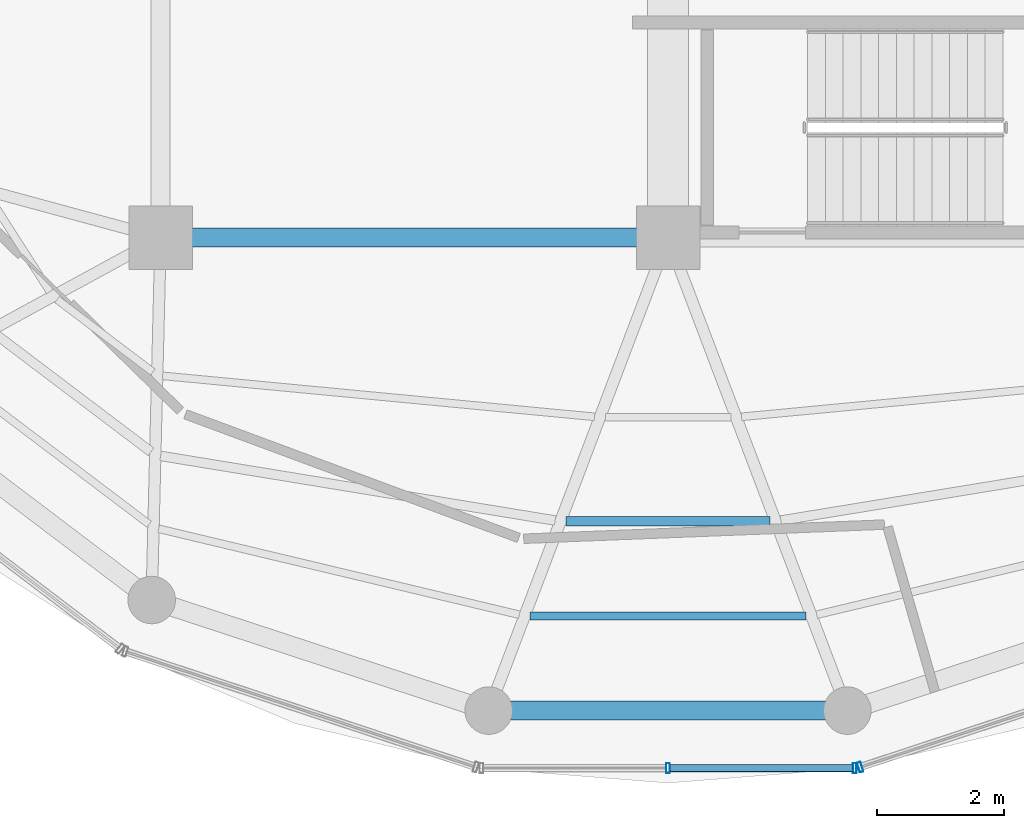
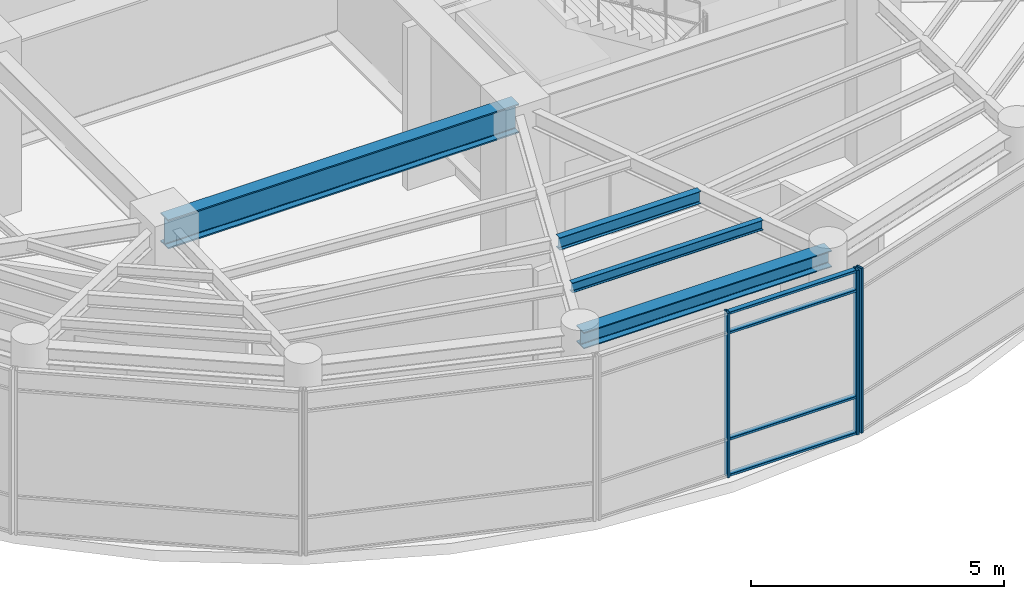
# One storey, part 5 of 19: 7 members, 4 beams, 2 elements without a shape of their own.
"""IFC4 building model written with IfcOpenShell, lengths in metres."""

from ifc_helpers import new_model, si_unit, direction, frame, origin, origin_2d, place, context, subcontext, project, spatial, hollow_rectangle, i_section, extrude, material, layer, layer_set, material_profile, profile_set, type_object, element, aggregate, save


model = new_model("IFC4")

# Units and contexts
model_context = context("Model", 3, precision=1e-05, world=origin(), true_north=direction((0.0, 1.0)))
body_context = subcontext(model_context, "Body", "Model", "MODEL_VIEW")
ifc_project = project(units=[si_unit("LENGTHUNIT", "METRE"), si_unit("AREAUNIT", "SQUARE_METRE"), si_unit("VOLUMEUNIT", "CUBIC_METRE"), si_unit("PLANEANGLEUNIT", "RADIAN"), si_unit("MASSUNIT", "GRAM", prefix="KILO")], contexts=[model_context])

# Site, building, storey
site_placement = place(None, origin())
site = spatial("IfcSite", under=ifc_project, at=site_placement, CompositionType="ELEMENT")
building_placement = place(site_placement, origin())
building = spatial("IfcBuilding", under=site, at=building_placement, Name="Kelanora Arch Commons", CompositionType="ELEMENT")
storey_placement = place(building_placement, frame((0.0, 0.0, 306.89990234375)))
storey = spatial("IfcBuildingStorey", under=building, at=storey_placement, Name="L78", CompositionType="ELEMENT", Elevation=306.89990234375)

# Beams
ifc_material_1 = material(Name="Steel S355", Category="steel")
ifc_material_profile_1 = material_profile(ifc_material_1, i_section(OverallWidth=0.300048828125, OverallDepth=0.699951171875, WebThickness=0.01708984375, FlangeThickness=0.031982421875, FilletRadius=0.027099609375, at=origin_2d()), Name="HEB700")
ifc_profile_set_1 = profile_set([ifc_material_profile_1], Name="Steel S355")
beam_type_1 = type_object("IfcBeamType", Name="BM-CORE-HDR", PredefinedType="BEAM", material=ifc_profile_set_1)
beam_1_placement = place(storey_placement, frame((66.0, 51.0, 3.630126953125), z_axis=(1.0, 0.0, 0.0), x_axis=(0.0, 1.0, 0.0)))
element("IfcBeam", 1, at=beam_1_placement, inside=storey, type_object=beam_type_1, Name="Core Header Beam 01 L78", PredefinedType="BEAM", context=body_context, shape_type="SweptSolid", body=[
    extrude(i_section(OverallWidth=0.300048828125, OverallDepth=0.699951171875, WebThickness=0.01708984375, FlangeThickness=0.031982421875, FilletRadius=0.027099609375, at=origin_2d()), origin(), (0.0, 0.0, 1.0), 8.0),
])
ifc_material_profile_2 = material_profile(ifc_material_1, i_section(OverallWidth=0.14990234375, OverallDepth=0.300048828125, WebThickness=0.007080078125, FlangeThickness=0.0107421875, FilletRadius=0.014892578125, at=origin_2d()), Name="IPE300")
ifc_profile_set_2 = profile_set([ifc_material_profile_2], Name="Steel S355")
beam_type_2 = type_object("IfcBeamType", Name="BM-JST-01", PredefinedType="JOIST", material=ifc_profile_set_2)
beam_2_placement = place(storey_placement, frame((72.388916015625, 46.52587890625, 3.830078125), z_axis=(1.0, 0.0, 0.0), x_axis=(0.0, 1.0, 0.0)))
element("IfcBeam", 2, at=beam_2_placement, inside=storey, type_object=beam_type_2, Name="Secondary Chord Joist BJB-26 L78", PredefinedType="JOIST", context=body_context, shape_type="SweptSolid", body=[
    extrude(i_section(OverallWidth=0.14990234375, OverallDepth=0.300048828125, WebThickness=0.007080078125, FlangeThickness=0.0107421875, FilletRadius=0.014892578125, at=origin_2d()), origin(), (0.0, 0.0, 1.0), 3.22216796875),
])
ifc_material_profile_3 = material_profile(ifc_material_1, i_section(OverallWidth=0.1201171875, OverallDepth=0.239990234375, WebThickness=0.006103515625, FlangeThickness=0.009765625, FilletRadius=0.014892578125, at=origin_2d()), Name="IPE240")
ifc_profile_set_3 = profile_set([ifc_material_profile_3], Name="Steel S355")
beam_type_3 = type_object("IfcBeamType", Name="BM-JST-02", PredefinedType="JOIST", material=ifc_profile_set_3)
beam_3_placement = place(storey_placement, frame((71.823486328125, 45.034423828125, 3.860107421875), z_axis=(1.0, 0.0, 0.0), x_axis=(0.0, 1.0, 0.0)))
element("IfcBeam", 3, at=beam_3_placement, inside=storey, type_object=beam_type_3, Name="Secondary Chord Joist BJC-26 L78", PredefinedType="JOIST", context=body_context, shape_type="SweptSolid", body=[
    extrude(i_section(OverallWidth=0.1201171875, OverallDepth=0.239990234375, WebThickness=0.006103515625, FlangeThickness=0.009765625, FilletRadius=0.014892578125, at=origin_2d()), origin(), (0.0, 0.0, 1.0), 4.35302734375),
])
ifc_material_profile_4 = material_profile(ifc_material_1, i_section(OverallWidth=0.300048828125, OverallDepth=0.39990234375, WebThickness=0.013427734375, FlangeThickness=0.02392578125, FilletRadius=0.027099609375, at=origin_2d()), Name="HEB400")
ifc_profile_set_4 = profile_set([ifc_material_profile_4], Name="Steel S355")
beam_type_4 = type_object("IfcBeamType", Name="BM-SPN-Z4", PredefinedType="SPANDREL", material=ifc_profile_set_4)
beam_4_placement = place(storey_placement, frame((71.173095703125, 43.54296875, 3.780029296875), z_axis=(1.0, 0.0, 0.0), x_axis=(0.0, 1.0, 0.0)))
element("IfcBeam", 4, at=beam_4_placement, inside=storey, type_object=beam_type_4, Name="Perimeter Spandrel Beam BS-26 L78", PredefinedType="SPANDREL", context=body_context, shape_type="SweptSolid", body=[
    extrude(i_section(OverallWidth=0.300048828125, OverallDepth=0.39990234375, WebThickness=0.013427734375, FlangeThickness=0.02392578125, FilletRadius=0.027099609375, at=origin_2d()), origin(), (0.0, 0.0, 1.0), 5.65380859375),
])

# Curtain wall, members
ifc_material_2 = material(Name="Terracotta ceramic-fritted low-E glass and aluminium", Category="masonry")
ifc_layer = layer(ifc_material_2, 0.14990234375)
ifc_layer_set = layer_set([ifc_layer], Name="Terracotta ceramic-fritted low-E glass and aluminium")
curtain_wall_type = type_object("IfcCurtainWallType", Name="CW-SYS-06", PredefinedType="NOTDEFINED", material=ifc_layer_set)
curtain_wall_1_placement = place(storey_placement, origin())
curtain_wall_1 = element("IfcCurtainWall", 5, at=curtain_wall_1_placement, inside=storey, type_object=curtain_wall_type, Name="Unitised Curtain Wall L78-B13", PredefinedType="NOTDEFINED")
ifc_material_3 = material(Name="Powder-coated aluminium terracotta", Category="masonry")
ifc_material_profile_5 = material_profile(ifc_material_3, hollow_rectangle(XDim=0.159912109375, YDim=0.06005859375, WallThickness=0.0048828125, InnerFilletRadius=0.0048828125, OuterFilletRadius=0.010009765625, at=origin_2d()), Name="CWM160x60")
ifc_profile_set_5 = profile_set([ifc_material_profile_5], Name="Powder-coated aluminium terracotta")
member_type_1 = type_object("IfcMemberType", Name="CWM-STD", PredefinedType="MULLION", material=ifc_profile_set_5)
member_1_placement = place(storey_placement, frame((74.0, 42.636962890625, 0.0), z_axis=(0.0, 0.0, 1.0), x_axis=(0.0, 1.0, 0.0)))
member_1 = element("IfcMember", 6, at=member_1_placement, type_object=member_type_1, Name="CW-06 mullion 2", PredefinedType="MULLION", context=body_context, shape_type="SweptSolid", body=[
    extrude(hollow_rectangle(XDim=0.159912109375, YDim=0.06005859375, WallThickness=0.0048828125, InnerFilletRadius=0.0048828125, OuterFilletRadius=0.010009765625, at=origin_2d()), origin(), (0.0, 0.0, 1.0), 3.965087890625),
])
member_2_placement = place(storey_placement, frame((76.941650390625, 42.636962890625, 0.0), z_axis=(0.0, 0.0, 1.0), x_axis=(0.0, 1.0, 0.0)))
member_2 = element("IfcMember", 7, at=member_2_placement, type_object=member_type_1, Name="CW-06 mullion 3", PredefinedType="MULLION", context=body_context, shape_type="SweptSolid", body=[
    extrude(hollow_rectangle(XDim=0.159912109375, YDim=0.06005859375, WallThickness=0.0048828125, InnerFilletRadius=0.0048828125, OuterFilletRadius=0.010009765625, at=origin_2d()), origin(), (0.0, 0.0, 1.0), 3.965087890625),
])

# Curtain wall, member
curtain_wall_2_placement = place(storey_placement, origin())
curtain_wall_2 = element("IfcCurtainWall", 8, at=curtain_wall_2_placement, inside=storey, type_object=curtain_wall_type, Name="Unitised Curtain Wall L78-B14", PredefinedType="NOTDEFINED")
member_3_placement = place(storey_placement, frame((77.029296875, 42.651123046875, 0.0), z_axis=(0.0, 0.0, 1.0), x_axis=(-0.313466845323, 0.949599145368, 0.0)))
member_3 = element("IfcMember", 9, at=member_3_placement, type_object=member_type_1, Name="CW-06 mullion 1", PredefinedType="MULLION", context=body_context, shape_type="SweptSolid", body=[
    extrude(hollow_rectangle(XDim=0.159912109375, YDim=0.06005859375, WallThickness=0.0048828125, InnerFilletRadius=0.0048828125, OuterFilletRadius=0.010009765625, at=origin_2d()), origin(), (0.0, 0.0, 1.0), 3.965087890625),
])
aggregate(curtain_wall_2, [member_3])

# Member
ifc_material_profile_6 = material_profile(ifc_material_3, hollow_rectangle(XDim=0.1201171875, YDim=0.06005859375, WallThickness=0.0048828125, InnerFilletRadius=0.0048828125, OuterFilletRadius=0.010009765625, at=origin_2d()), Name="CWT120x60")
ifc_profile_set_6 = profile_set([ifc_material_profile_6], Name="Powder-coated aluminium terracotta")
member_type_2 = type_object("IfcMemberType", Name="CWT-STD", PredefinedType="USERDEFINED", material=ifc_profile_set_6)
member_4_placement = place(storey_placement, frame((74.030029296875, 42.636962890625, 0.030029296875), z_axis=(1.0, 0.0, 0.0), x_axis=(0.0, 1.0, 0.0)))
member_4 = element("IfcMember", 10, at=member_4_placement, type_object=member_type_2, Name="CW-06 transom 2.1", ObjectType="TRANSOM", PredefinedType="USERDEFINED", context=body_context, shape_type="SweptSolid", body=[
    extrude(hollow_rectangle(XDim=0.1201171875, YDim=0.06005859375, WallThickness=0.0048828125, InnerFilletRadius=0.0048828125, OuterFilletRadius=0.010009765625, at=origin_2d()), origin(), (0.0, 0.0, 1.0), 2.881591796875),
])

member_5_placement = place(storey_placement, frame((74.030029296875, 42.636962890625, 0.900146484375), z_axis=(1.0, 0.0, 0.0), x_axis=(0.0, 1.0, 0.0)))
member_5 = element("IfcMember", 11, at=member_5_placement, type_object=member_type_2, Name="CW-06 transom 2.2", ObjectType="TRANSOM", PredefinedType="USERDEFINED", context=body_context, shape_type="SweptSolid", body=[
    extrude(hollow_rectangle(XDim=0.1201171875, YDim=0.06005859375, WallThickness=0.0048828125, InnerFilletRadius=0.0048828125, OuterFilletRadius=0.010009765625, at=origin_2d()), origin(), (0.0, 0.0, 1.0), 2.881591796875),
])

member_6_placement = place(storey_placement, frame((74.030029296875, 42.636962890625, 3.465087890625), z_axis=(1.0, 0.0, 0.0), x_axis=(0.0, 1.0, 0.0)))
member_6 = element("IfcMember", 12, at=member_6_placement, type_object=member_type_2, Name="CW-06 transom 2.3", ObjectType="TRANSOM", PredefinedType="USERDEFINED", context=body_context, shape_type="SweptSolid", body=[
    extrude(hollow_rectangle(XDim=0.1201171875, YDim=0.06005859375, WallThickness=0.0048828125, InnerFilletRadius=0.0048828125, OuterFilletRadius=0.010009765625, at=origin_2d()), origin(), (0.0, 0.0, 1.0), 2.881591796875),
])

member_7_placement = place(storey_placement, frame((74.030029296875, 42.636962890625, 3.93505859375), z_axis=(1.0, 0.0, 0.0), x_axis=(0.0, 1.0, 0.0)))
member_7 = element("IfcMember", 13, at=member_7_placement, type_object=member_type_2, Name="CW-06 transom 2.4", ObjectType="TRANSOM", PredefinedType="USERDEFINED", context=body_context, shape_type="SweptSolid", body=[
    extrude(hollow_rectangle(XDim=0.1201171875, YDim=0.06005859375, WallThickness=0.0048828125, InnerFilletRadius=0.0048828125, OuterFilletRadius=0.010009765625, at=origin_2d()), origin(), (0.0, 0.0, 1.0), 2.881591796875),
])

aggregate(curtain_wall_1, [member_1, member_2, member_4, member_5, member_6, member_7])

save(model, "model.ifc")
